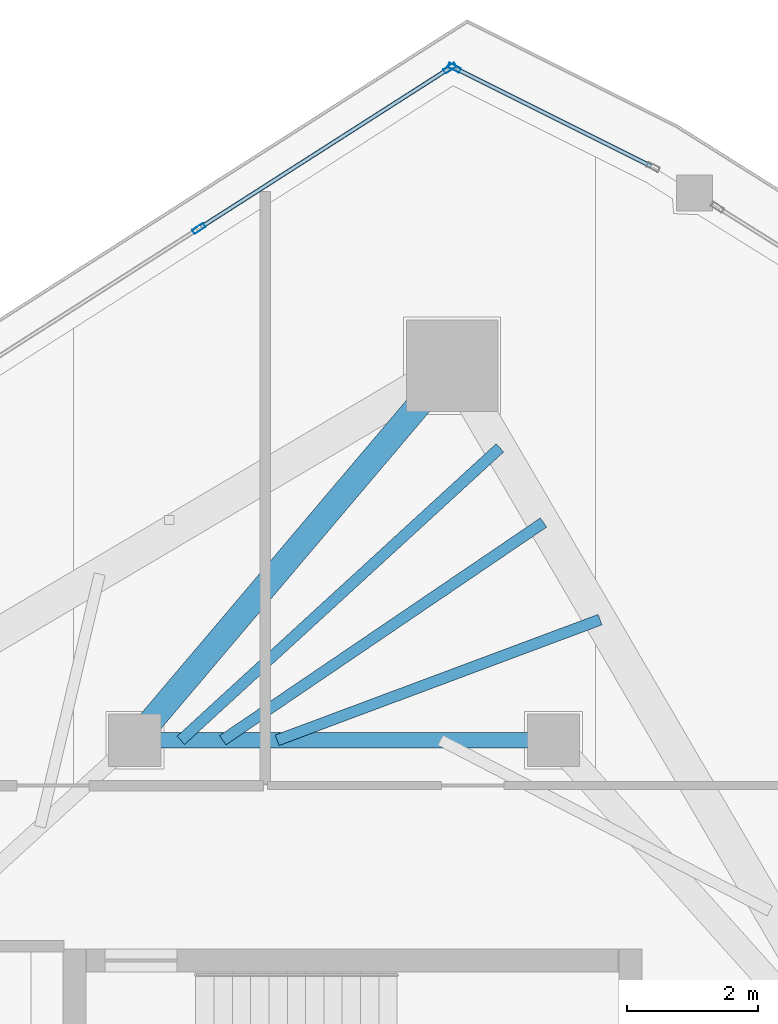
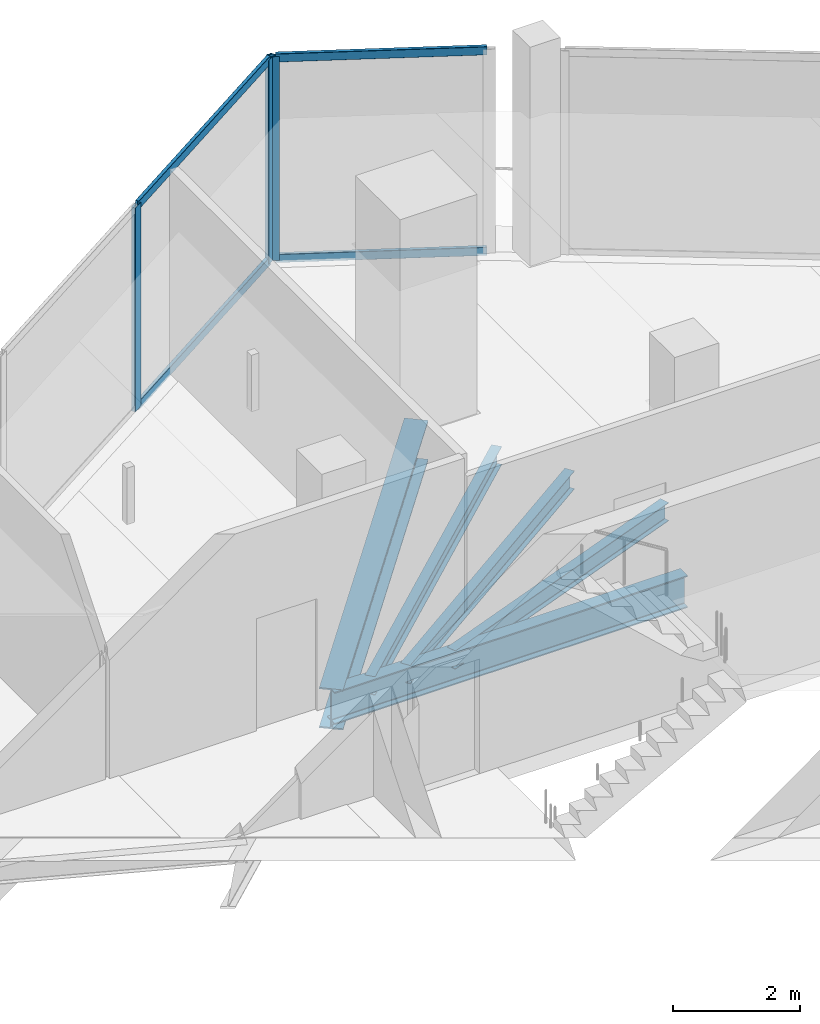
# One storey, part 11 of 23: 7 members, 5 beams, 2 elements without a shape of their own.
"""IFC4 building model written with IfcOpenShell, lengths in metres."""

from ifc_helpers import new_model, si_unit, direction, frame, origin, origin_2d, place, context, subcontext, project, spatial, hollow_rectangle, i_section, extrude, material, layer, layer_set, material_profile, profile_set, type_object, element, aggregate, save


model = new_model("IFC4")

# Units and contexts
model_context = context("Model", 3, precision=1e-05, world=origin(), true_north=direction((0.0, 1.0)))
body_context = subcontext(model_context, "Body", "Model", "MODEL_VIEW")
ifc_project = project(units=[si_unit("LENGTHUNIT", "METRE"), si_unit("AREAUNIT", "SQUARE_METRE"), si_unit("VOLUMEUNIT", "CUBIC_METRE"), si_unit("PLANEANGLEUNIT", "RADIAN"), si_unit("MASSUNIT", "GRAM", prefix="KILO")], contexts=[model_context])

# Site, building, storey
site_placement = place(None, origin())
site = spatial("IfcSite", under=ifc_project, at=site_placement, CompositionType="ELEMENT")
building_placement = place(site_placement, origin())
building = spatial("IfcBuilding", under=site, at=building_placement, Name="Qorvath Tower", CompositionType="ELEMENT")
storey_placement = place(building_placement, frame((0.0, 0.0, 310.199951171875)))
storey = spatial("IfcBuildingStorey", under=building, at=storey_placement, Name="L72", CompositionType="ELEMENT", Elevation=310.199951171875)

# Beams
ifc_material_1 = material(Name="Steel ASTM A992 Grade 50", Category="steel")
ifc_material_profile_1 = material_profile(ifc_material_1, i_section(OverallWidth=0.381103515625, OverallDepth=0.77294921875, WebThickness=0.0166015625, FlangeThickness=0.027099609375, FilletRadius=0.01904296875, at=origin_2d()), Name="W30x173")
ifc_profile_set_1 = profile_set([ifc_material_profile_1], Name="Steel ASTM A992 Grade 50")
beam_type_1 = type_object("IfcBeamType", Name="BM-FG3", PredefinedType="BEAM", material=ifc_profile_set_1)
beam_1_placement = place(storey_placement, frame((-23.60009765625, 11.449951171875, -0.676513671875), z_axis=(0.646321389876, 0.763065305848, 0.0), x_axis=(-0.763065305848, 0.646321389876, 0.0)))
element("IfcBeam", 1, at=beam_1_placement, inside=storey, type_object=beam_type_1, Name="Radial Floor Girder CC1-MC6 L72", PredefinedType="BEAM", context=body_context, shape_type="SweptSolid", body=[
    extrude(i_section(OverallWidth=0.381103515625, OverallDepth=0.77294921875, WebThickness=0.0166015625, FlangeThickness=0.027099609375, FilletRadius=0.01904296875, at=origin_2d()), origin(), (0.0, 0.0, 1.0), 7.50341796875),
])
ifc_material_2 = material(Name="Steel ASTM A992 Grade 50", Category="steel")
ifc_material_profile_2 = material_profile(ifc_material_2, i_section(OverallWidth=0.22998046875, OverallDepth=0.616943359375, WebThickness=0.01318359375, FlangeThickness=0.022216796875, FilletRadius=0.014892578125, at=origin_2d()), Name="W24x94")
ifc_profile_set_2 = profile_set([ifc_material_profile_2], Name="Steel ASTM A992 Grade 50")
beam_type_2 = type_object("IfcBeamType", Name="BM-FG6", PredefinedType="BEAM", material=ifc_profile_set_2)
beam_2_placement = place(storey_placement, frame((-23.60009765625, 11.449951171875, -0.5986328125), z_axis=(1.0, 0.0, 0.0), x_axis=(0.0, 1.0, 0.0)))
element("IfcBeam", 2, at=beam_2_placement, inside=storey, type_object=beam_type_2, Name="Core Ring Girder CC1-CC2 L72", PredefinedType="BEAM", context=body_context, shape_type="SweptSolid", body=[
    extrude(i_section(OverallWidth=0.22998046875, OverallDepth=0.616943359375, WebThickness=0.01318359375, FlangeThickness=0.022216796875, FilletRadius=0.014892578125, at=origin_2d()), origin(), (0.0, 0.0, 1.0), 6.400146484375),
])
ifc_material_3 = material(Name="Steel ASTM A992 Grade 50", Category="steel")
ifc_material_profile_3 = material_profile(ifc_material_3, i_section(OverallWidth=0.1708984375, OverallDepth=0.35107421875, WebThickness=0.0068359375, FlangeThickness=0.009765625, FilletRadius=0.010009765625, at=origin_2d()), Name="W14x30")
ifc_profile_set_3 = profile_set([ifc_material_profile_3], Name="Steel ASTM A992 Grade 50")
beam_type_3 = type_object("IfcBeamType", Name="BM-FJ4", PredefinedType="JOIST", material=ifc_profile_set_3)
beam_3_placement = place(storey_placement, frame((-21.424072265625, 11.449951171875, -0.465576171875), z_axis=(0.936775909139, 0.349929844478, 0.0), x_axis=(-0.349929844478, 0.936775909139, 0.0)))
element("IfcBeam", 3, at=beam_3_placement, inside=storey, type_object=beam_type_3, Name="Composite Floor Joist NE5 L72", PredefinedType="JOIST", context=body_context, shape_type="SweptSolid", body=[
    extrude(i_section(OverallWidth=0.1708984375, OverallDepth=0.35107421875, WebThickness=0.0068359375, FlangeThickness=0.009765625, FilletRadius=0.010009765625, at=origin_2d()), origin(), (0.0, 0.0, 1.0), 5.268798828125),
])
beam_4_placement = place(storey_placement, frame((-22.256103515625, 11.449951171875, -0.465576171875), z_axis=(0.827400561462, 0.56161224247, 0.0), x_axis=(-0.56161224247, 0.827400561462, 0.0)))
element("IfcBeam", 4, at=beam_4_placement, inside=storey, type_object=beam_type_3, Name="Composite Floor Joist NE6 L72", PredefinedType="JOIST", context=body_context, shape_type="SweptSolid", body=[
    extrude(i_section(OverallWidth=0.1708984375, OverallDepth=0.35107421875, WebThickness=0.0068359375, FlangeThickness=0.009765625, FilletRadius=0.010009765625, at=origin_2d()), origin(), (0.0, 0.0, 1.0), 5.925537109375),
])
beam_5_placement = place(storey_placement, frame((-22.89599609375, 11.449951171875, -0.465576171875), z_axis=(0.737232260457, 0.675639396528, 0.0), x_axis=(-0.675639396528, 0.737232260457, 0.0)))
element("IfcBeam", 5, at=beam_5_placement, inside=storey, type_object=beam_type_3, Name="Composite Floor Joist NE7 L72", PredefinedType="JOIST", context=body_context, shape_type="SweptSolid", body=[
    extrude(i_section(OverallWidth=0.1708984375, OverallDepth=0.35107421875, WebThickness=0.0068359375, FlangeThickness=0.009765625, FilletRadius=0.010009765625, at=origin_2d()), origin(), (0.0, 0.0, 1.0), 6.615478515625),
])

# Curtain wall, member
ifc_material_4 = material(Name="Anodised aluminium and triple low-E glass", Category="aluminium")
ifc_layer = layer(ifc_material_4, 0.179931640625)
ifc_layer_set = layer_set([ifc_layer], Name="CW-SYS-4")
curtain_wall_type = type_object("IfcCurtainWallType", Name="CW-SYS-4", PredefinedType="NOTDEFINED", material=ifc_layer_set)
curtain_wall_1_placement = place(storey_placement, origin())
curtain_wall_1 = element("IfcCurtainWall", 6, at=curtain_wall_1_placement, inside=storey, type_object=curtain_wall_type, Name="Curtain Wall CW-4 CW-T-L72-15.1", PredefinedType="NOTDEFINED")
ifc_material_5 = material(Name="Anodised aluminium 6063-T6", Category="aluminium")
ifc_material_profile_4 = material_profile(ifc_material_5, hollow_rectangle(XDim=0.074951171875, YDim=0.199951171875, WallThickness=0.00390625, InnerFilletRadius=0.00390625, OuterFilletRadius=0.008056640625, at=origin_2d()), Name="CWM 200x75")
ifc_profile_set_4 = profile_set([ifc_material_profile_4], Name="Anodised aluminium 6063-T6")
member_type_1 = type_object("IfcMemberType", Name="CWM-200", PredefinedType="MULLION", material=ifc_profile_set_4)
member_1_placement = place(storey_placement, frame((-18.7177734375, 21.729736328125, 0.0), z_axis=(0.0, 0.0, 1.0), x_axis=(-0.447156015897, -0.894455978485, 0.0)))
member_1 = element("IfcMember", 7, at=member_1_placement, type_object=member_type_1, Name="CW-4 mullion 2", PredefinedType="MULLION", context=body_context, shape_type="SweptSolid", body=[
    extrude(hollow_rectangle(XDim=0.074951171875, YDim=0.199951171875, WallThickness=0.00390625, InnerFilletRadius=0.00390625, OuterFilletRadius=0.008056640625, at=origin_2d()), origin(), (0.0, 0.0, 1.0), 3.91015625),
])

# Curtain wall, members
curtain_wall_2_placement = place(storey_placement, origin())
curtain_wall_2 = element("IfcCurtainWall", 8, at=curtain_wall_2_placement, inside=storey, type_object=curtain_wall_type, Name="Curtain Wall CW-4 CW-T-L72-16.1", PredefinedType="NOTDEFINED")
member_2_placement = place(storey_placement, frame((-18.78271484375, 21.726318359375, 0.0), z_axis=(0.0, 0.0, 1.0), x_axis=(0.538531336391, -0.842605482847, 0.0)))
member_2 = element("IfcMember", 9, at=member_2_placement, type_object=member_type_1, Name="CW-4 mullion 1", PredefinedType="MULLION", context=body_context, shape_type="SweptSolid", body=[
    extrude(hollow_rectangle(XDim=0.074951171875, YDim=0.199951171875, WallThickness=0.00390625, InnerFilletRadius=0.00390625, OuterFilletRadius=0.008056640625, at=origin_2d()), origin(), (0.0, 0.0, 1.0), 3.91015625),
])
member_3_placement = place(storey_placement, frame((-22.619873046875, 19.27392578125, 0.0), z_axis=(0.0, 0.0, 1.0), x_axis=(0.538531336391, -0.842605482847, 0.0)))
member_3 = element("IfcMember", 10, at=member_3_placement, type_object=member_type_1, Name="CW-4 mullion 2", PredefinedType="MULLION", context=body_context, shape_type="SweptSolid", body=[
    extrude(hollow_rectangle(XDim=0.074951171875, YDim=0.199951171875, WallThickness=0.00390625, InnerFilletRadius=0.00390625, OuterFilletRadius=0.008056640625, at=origin_2d()), origin(), (0.0, 0.0, 1.0), 3.91015625),
])

# Member
ifc_material_6 = material(Name="Anodised aluminium 6063-T6", Category="aluminium")
ifc_material_profile_5 = material_profile(ifc_material_6, hollow_rectangle(XDim=0.06494140625, YDim=0.159912109375, WallThickness=0.00341796875, InnerFilletRadius=0.00341796875, OuterFilletRadius=0.007080078125, at=origin_2d()), Name="CWT 160x65")
ifc_profile_set_5 = profile_set([ifc_material_profile_5], Name="Anodised aluminium 6063-T6")
member_type_2 = type_object("IfcMemberType", Name="CWT-160", PredefinedType="USERDEFINED", material=ifc_profile_set_5)
member_4_placement = place(storey_placement, frame((-15.71142578125, 20.22705078125, 0.032470703125), z_axis=(-0.894456573319, 0.447154826034, 0.0), x_axis=(-0.447154826034, -0.894456573319, 0.0)))
member_4 = element("IfcMember", 11, at=member_4_placement, type_object=member_type_2, Name="CW-4 transom 1.1", ObjectType="TRANSOM", PredefinedType="USERDEFINED", context=body_context, shape_type="SweptSolid", body=[
    extrude(hollow_rectangle(XDim=0.06494140625, YDim=0.159912109375, WallThickness=0.00341796875, InnerFilletRadius=0.00341796875, OuterFilletRadius=0.007080078125, at=origin_2d()), origin(), (0.0, 0.0, 1.0), 3.323486328125),
])

member_5_placement = place(storey_placement, frame((-15.71142578125, 20.22705078125, 3.877685546875), z_axis=(-0.894456573319, 0.447154826034, 0.0), x_axis=(-0.447154826034, -0.894456573319, 0.0)))
member_5 = element("IfcMember", 12, at=member_5_placement, type_object=member_type_2, Name="CW-4 transom 1.2", ObjectType="TRANSOM", PredefinedType="USERDEFINED", context=body_context, shape_type="SweptSolid", body=[
    extrude(hollow_rectangle(XDim=0.06494140625, YDim=0.159912109375, WallThickness=0.00341796875, InnerFilletRadius=0.00341796875, OuterFilletRadius=0.007080078125, at=origin_2d()), origin(), (0.0, 0.0, 1.0), 3.323486328125),
])

aggregate(curtain_wall_1, [member_1, member_4, member_5])

member_6_placement = place(storey_placement, frame((-18.814453125, 21.706298828125, 0.032470703125), z_axis=(-0.842595949127, -0.538546252903, 0.0), x_axis=(0.538546252903, -0.842595949127, 0.0)))
member_6 = element("IfcMember", 13, at=member_6_placement, type_object=member_type_2, Name="CW-4 transom 1.1", ObjectType="TRANSOM", PredefinedType="USERDEFINED", context=body_context, shape_type="SweptSolid", body=[
    extrude(hollow_rectangle(XDim=0.06494140625, YDim=0.159912109375, WallThickness=0.00341796875, InnerFilletRadius=0.00341796875, OuterFilletRadius=0.007080078125, at=origin_2d()), origin(), (0.0, 0.0, 1.0), 4.47900390625),
])

member_7_placement = place(storey_placement, frame((-18.814453125, 21.706298828125, 3.877685546875), z_axis=(-0.842595949127, -0.538546252903, 0.0), x_axis=(0.538546252903, -0.842595949127, 0.0)))
member_7 = element("IfcMember", 14, at=member_7_placement, type_object=member_type_2, Name="CW-4 transom 1.2", ObjectType="TRANSOM", PredefinedType="USERDEFINED", context=body_context, shape_type="SweptSolid", body=[
    extrude(hollow_rectangle(XDim=0.06494140625, YDim=0.159912109375, WallThickness=0.00341796875, InnerFilletRadius=0.00341796875, OuterFilletRadius=0.007080078125, at=origin_2d()), origin(), (0.0, 0.0, 1.0), 4.47900390625),
])

aggregate(curtain_wall_2, [member_2, member_3, member_6, member_7])

save(model, "model.ifc")
